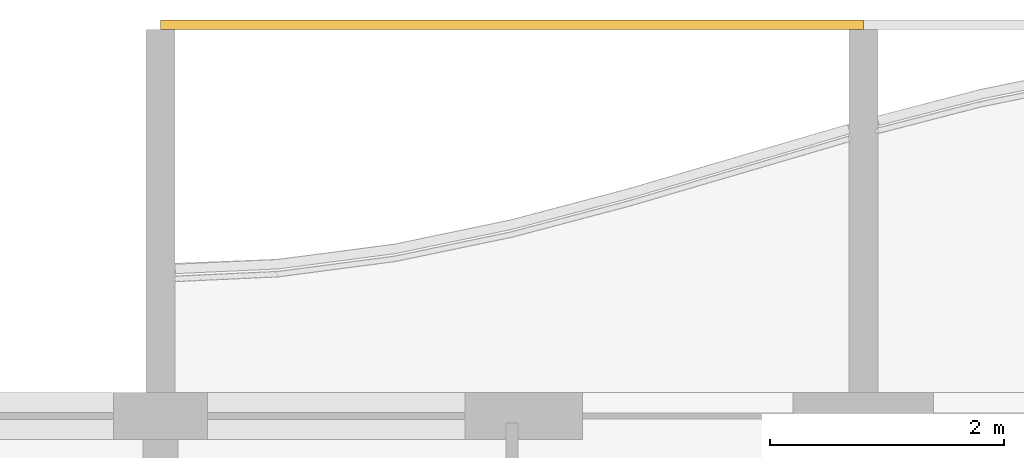
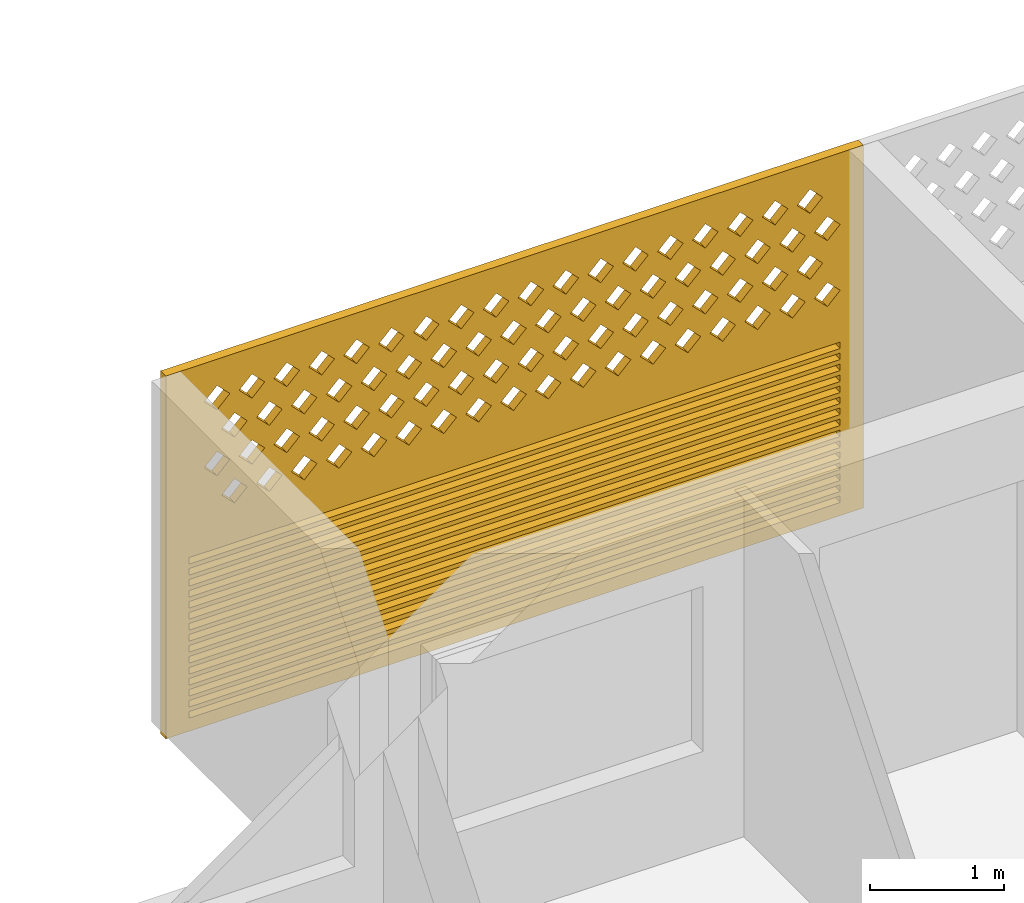
# One storey, part 27 of 31: 1 covering.
"""IFC4 building model written with IfcOpenShell, lengths in metres."""

from ifc_helpers import new_model, si_unit, direction, frame, origin, place, context, subcontext, project, spatial, polyline, outline, extrude, source, transform, mapped, material, material_profile, profile_set, type_object, element, save


model = new_model("IFC4")

# Units and contexts
model_context = context("Model", 3, precision=1e-05, world=origin(), true_north=direction((0.0, 1.0)))
body_context = subcontext(model_context, "Body", "Model", "MODEL_VIEW")
ifc_project = project(units=[si_unit("LENGTHUNIT", "METRE"), si_unit("AREAUNIT", "SQUARE_METRE"), si_unit("VOLUMEUNIT", "CUBIC_METRE"), si_unit("PLANEANGLEUNIT", "RADIAN"), si_unit("MASSUNIT", "GRAM", prefix="KILO")], contexts=[model_context])

# Site, building, storey
site_placement = place(None, origin())
site = spatial("IfcSite", under=ifc_project, at=site_placement, CompositionType="ELEMENT")
building_placement = place(site_placement, origin())
building = spatial("IfcBuilding", under=site, at=building_placement, Name="Poui Terraces", CompositionType="ELEMENT")
storey_placement = place(building_placement, frame((0.0, 0.0, 145.5)))
storey = spatial("IfcBuildingStorey", under=building, at=storey_placement, Name="L40", CompositionType="ELEMENT", Elevation=145.5)

# Covering
ifc_material = material(Name="Terracotta screen", Category="masonry")
ifc_material_profile = material_profile(ifc_material, outline(polyline([(-3.0, -1.64990234375), (3.0, -1.64990234375), (3.0, 1.64990234375), (-3.0, 1.64990234375), (-3.0, -1.64990234375)]), holes=[polyline([(-2.800048828125, 0.39990234375), (-2.68994140625, 0.2900390625), (-2.580078125, 0.39990234375), (-2.68994140625, 0.510009765625), (-2.800048828125, 0.39990234375)]), polyline([(-2.5, 0.39990234375), (-2.389892578125, 0.2900390625), (-2.280029296875, 0.39990234375), (-2.389892578125, 0.510009765625), (-2.5, 0.39990234375)]), polyline([(-2.199951171875, 0.39990234375), (-2.090087890625, 0.2900390625), (-1.97998046875, 0.39990234375), (-2.090087890625, 0.510009765625), (-2.199951171875, 0.39990234375)]), polyline([(-1.89990234375, 0.39990234375), (-1.7900390625, 0.2900390625), (-1.679931640625, 0.39990234375), (-1.7900390625, 0.510009765625), (-1.89990234375, 0.39990234375)]), polyline([(-1.60009765625, 0.39990234375), (-1.489990234375, 0.2900390625), (-1.3798828125, 0.39990234375), (-1.489990234375, 0.510009765625), (-1.60009765625, 0.39990234375)]), polyline([(-1.300048828125, 0.39990234375), (-1.18994140625, 0.2900390625), (-1.080078125, 0.39990234375), (-1.18994140625, 0.510009765625), (-1.300048828125, 0.39990234375)]), polyline([(-1.0, 0.39990234375), (-0.889892578125, 0.2900390625), (-0.780029296875, 0.39990234375), (-0.889892578125, 0.510009765625), (-1.0, 0.39990234375)]), polyline([(-0.699951171875, 0.39990234375), (-0.590087890625, 0.2900390625), (-0.47998046875, 0.39990234375), (-0.590087890625, 0.510009765625), (-0.699951171875, 0.39990234375)]), polyline([(-0.39990234375, 0.39990234375), (-0.2900390625, 0.2900390625), (-0.179931640625, 0.39990234375), (-0.2900390625, 0.510009765625), (-0.39990234375, 0.39990234375)]), polyline([(-0.10009765625, 0.39990234375), (0.010009765625, 0.2900390625), (0.1201171875, 0.39990234375), (0.010009765625, 0.510009765625), (-0.10009765625, 0.39990234375)]), polyline([(0.199951171875, 0.39990234375), (0.31005859375, 0.2900390625), (0.419921875, 0.39990234375), (0.31005859375, 0.510009765625), (0.199951171875, 0.39990234375)]), polyline([(0.5, 0.39990234375), (0.610107421875, 0.2900390625), (0.719970703125, 0.39990234375), (0.610107421875, 0.510009765625), (0.5, 0.39990234375)]), polyline([(0.800048828125, 0.39990234375), (0.909912109375, 0.2900390625), (1.02001953125, 0.39990234375), (0.909912109375, 0.510009765625), (0.800048828125, 0.39990234375)]), polyline([(1.10009765625, 0.39990234375), (1.2099609375, 0.2900390625), (1.320068359375, 0.39990234375), (1.2099609375, 0.510009765625), (1.10009765625, 0.39990234375)]), polyline([(1.39990234375, 0.39990234375), (1.510009765625, 0.2900390625), (1.6201171875, 0.39990234375), (1.510009765625, 0.510009765625), (1.39990234375, 0.39990234375)]), polyline([(1.699951171875, 0.39990234375), (1.81005859375, 0.2900390625), (1.919921875, 0.39990234375), (1.81005859375, 0.510009765625), (1.699951171875, 0.39990234375)]), polyline([(2.0, 0.39990234375), (2.110107421875, 0.2900390625), (2.219970703125, 0.39990234375), (2.110107421875, 0.510009765625), (2.0, 0.39990234375)]), polyline([(2.300048828125, 0.39990234375), (2.409912109375, 0.2900390625), (2.52001953125, 0.39990234375), (2.409912109375, 0.510009765625), (2.300048828125, 0.39990234375)]), polyline([(-2.64990234375, 0.699951171875), (-2.5400390625, 0.590087890625), (-2.429931640625, 0.699951171875), (-2.5400390625, 0.81005859375), (-2.64990234375, 0.699951171875)]), polyline([(-2.35009765625, 0.699951171875), (-2.239990234375, 0.590087890625), (-2.1298828125, 0.699951171875), (-2.239990234375, 0.81005859375), (-2.35009765625, 0.699951171875)]), polyline([(-2.050048828125, 0.699951171875), (-1.93994140625, 0.590087890625), (-1.830078125, 0.699951171875), (-1.93994140625, 0.81005859375), (-2.050048828125, 0.699951171875)]), polyline([(-1.75, 0.699951171875), (-1.639892578125, 0.590087890625), (-1.530029296875, 0.699951171875), (-1.639892578125, 0.81005859375), (-1.75, 0.699951171875)]), polyline([(-1.449951171875, 0.699951171875), (-1.340087890625, 0.590087890625), (-1.22998046875, 0.699951171875), (-1.340087890625, 0.81005859375), (-1.449951171875, 0.699951171875)]), polyline([(-1.14990234375, 0.699951171875), (-1.0400390625, 0.590087890625), (-0.929931640625, 0.699951171875), (-1.0400390625, 0.81005859375), (-1.14990234375, 0.699951171875)]), polyline([(-0.85009765625, 0.699951171875), (-0.739990234375, 0.590087890625), (-0.6298828125, 0.699951171875), (-0.739990234375, 0.81005859375), (-0.85009765625, 0.699951171875)]), polyline([(-0.550048828125, 0.699951171875), (-0.43994140625, 0.590087890625), (-0.330078125, 0.699951171875), (-0.43994140625, 0.81005859375), (-0.550048828125, 0.699951171875)]), polyline([(-0.25, 0.699951171875), (-0.139892578125, 0.590087890625), (-0.030029296875, 0.699951171875), (-0.139892578125, 0.81005859375), (-0.25, 0.699951171875)]), polyline([(0.050048828125, 0.699951171875), (0.159912109375, 0.590087890625), (0.27001953125, 0.699951171875), (0.159912109375, 0.81005859375), (0.050048828125, 0.699951171875)]), polyline([(0.35009765625, 0.699951171875), (0.4599609375, 0.590087890625), (0.570068359375, 0.699951171875), (0.4599609375, 0.81005859375), (0.35009765625, 0.699951171875)]), polyline([(0.64990234375, 0.699951171875), (0.760009765625, 0.590087890625), (0.8701171875, 0.699951171875), (0.760009765625, 0.81005859375), (0.64990234375, 0.699951171875)]), polyline([(0.949951171875, 0.699951171875), (1.06005859375, 0.590087890625), (1.169921875, 0.699951171875), (1.06005859375, 0.81005859375), (0.949951171875, 0.699951171875)]), polyline([(1.25, 0.699951171875), (1.360107421875, 0.590087890625), (1.469970703125, 0.699951171875), (1.360107421875, 0.81005859375), (1.25, 0.699951171875)]), polyline([(1.550048828125, 0.699951171875), (1.659912109375, 0.590087890625), (1.77001953125, 0.699951171875), (1.659912109375, 0.81005859375), (1.550048828125, 0.699951171875)]), polyline([(1.85009765625, 0.699951171875), (1.9599609375, 0.590087890625), (2.070068359375, 0.699951171875), (1.9599609375, 0.81005859375), (1.85009765625, 0.699951171875)]), polyline([(2.14990234375, 0.699951171875), (2.260009765625, 0.590087890625), (2.3701171875, 0.699951171875), (2.260009765625, 0.81005859375), (2.14990234375, 0.699951171875)]), polyline([(2.449951171875, 0.699951171875), (2.56005859375, 0.590087890625), (2.669921875, 0.699951171875), (2.56005859375, 0.81005859375), (2.449951171875, 0.699951171875)]), polyline([(-2.800048828125, 1.0), (-2.68994140625, 0.889892578125), (-2.580078125, 1.0), (-2.68994140625, 1.110107421875), (-2.800048828125, 1.0)]), polyline([(-2.5, 1.0), (-2.389892578125, 0.889892578125), (-2.280029296875, 1.0), (-2.389892578125, 1.110107421875), (-2.5, 1.0)]), polyline([(-2.199951171875, 1.0), (-2.090087890625, 0.889892578125), (-1.97998046875, 1.0), (-2.090087890625, 1.110107421875), (-2.199951171875, 1.0)]), polyline([(-1.89990234375, 1.0), (-1.7900390625, 0.889892578125), (-1.679931640625, 1.0), (-1.7900390625, 1.110107421875), (-1.89990234375, 1.0)]), polyline([(-1.60009765625, 1.0), (-1.489990234375, 0.889892578125), (-1.3798828125, 1.0), (-1.489990234375, 1.110107421875), (-1.60009765625, 1.0)]), polyline([(-1.300048828125, 1.0), (-1.18994140625, 0.889892578125), (-1.080078125, 1.0), (-1.18994140625, 1.110107421875), (-1.300048828125, 1.0)]), polyline([(-1.0, 1.0), (-0.889892578125, 0.889892578125), (-0.780029296875, 1.0), (-0.889892578125, 1.110107421875), (-1.0, 1.0)]), polyline([(-0.699951171875, 1.0), (-0.590087890625, 0.889892578125), (-0.47998046875, 1.0), (-0.590087890625, 1.110107421875), (-0.699951171875, 1.0)]), polyline([(-0.39990234375, 1.0), (-0.2900390625, 0.889892578125), (-0.179931640625, 1.0), (-0.2900390625, 1.110107421875), (-0.39990234375, 1.0)]), polyline([(-0.10009765625, 1.0), (0.010009765625, 0.889892578125), (0.1201171875, 1.0), (0.010009765625, 1.110107421875), (-0.10009765625, 1.0)]), polyline([(0.199951171875, 1.0), (0.31005859375, 0.889892578125), (0.419921875, 1.0), (0.31005859375, 1.110107421875), (0.199951171875, 1.0)]), polyline([(0.5, 1.0), (0.610107421875, 0.889892578125), (0.719970703125, 1.0), (0.610107421875, 1.110107421875), (0.5, 1.0)]), polyline([(0.800048828125, 1.0), (0.909912109375, 0.889892578125), (1.02001953125, 1.0), (0.909912109375, 1.110107421875), (0.800048828125, 1.0)]), polyline([(1.10009765625, 1.0), (1.2099609375, 0.889892578125), (1.320068359375, 1.0), (1.2099609375, 1.110107421875), (1.10009765625, 1.0)]), polyline([(1.39990234375, 1.0), (1.510009765625, 0.889892578125), (1.6201171875, 1.0), (1.510009765625, 1.110107421875), (1.39990234375, 1.0)]), polyline([(1.699951171875, 1.0), (1.81005859375, 0.889892578125), (1.919921875, 1.0), (1.81005859375, 1.110107421875), (1.699951171875, 1.0)]), polyline([(2.0, 1.0), (2.110107421875, 0.889892578125), (2.219970703125, 1.0), (2.110107421875, 1.110107421875), (2.0, 1.0)]), polyline([(2.300048828125, 1.0), (2.409912109375, 0.889892578125), (2.52001953125, 1.0), (2.409912109375, 1.110107421875), (2.300048828125, 1.0)]), polyline([(-2.64990234375, 1.300048828125), (-2.5400390625, 1.18994140625), (-2.429931640625, 1.300048828125), (-2.5400390625, 1.409912109375), (-2.64990234375, 1.300048828125)]), polyline([(-2.35009765625, 1.300048828125), (-2.239990234375, 1.18994140625), (-2.1298828125, 1.300048828125), (-2.239990234375, 1.409912109375), (-2.35009765625, 1.300048828125)]), polyline([(-2.050048828125, 1.300048828125), (-1.93994140625, 1.18994140625), (-1.830078125, 1.300048828125), (-1.93994140625, 1.409912109375), (-2.050048828125, 1.300048828125)]), polyline([(-1.75, 1.300048828125), (-1.639892578125, 1.18994140625), (-1.530029296875, 1.300048828125), (-1.639892578125, 1.409912109375), (-1.75, 1.300048828125)]), polyline([(-1.449951171875, 1.300048828125), (-1.340087890625, 1.18994140625), (-1.22998046875, 1.300048828125), (-1.340087890625, 1.409912109375), (-1.449951171875, 1.300048828125)]), polyline([(-1.14990234375, 1.300048828125), (-1.0400390625, 1.18994140625), (-0.929931640625, 1.300048828125), (-1.0400390625, 1.409912109375), (-1.14990234375, 1.300048828125)]), polyline([(-0.85009765625, 1.300048828125), (-0.739990234375, 1.18994140625), (-0.6298828125, 1.300048828125), (-0.739990234375, 1.409912109375), (-0.85009765625, 1.300048828125)]), polyline([(-0.550048828125, 1.300048828125), (-0.43994140625, 1.18994140625), (-0.330078125, 1.300048828125), (-0.43994140625, 1.409912109375), (-0.550048828125, 1.300048828125)]), polyline([(-0.25, 1.300048828125), (-0.139892578125, 1.18994140625), (-0.030029296875, 1.300048828125), (-0.139892578125, 1.409912109375), (-0.25, 1.300048828125)]), polyline([(0.050048828125, 1.300048828125), (0.159912109375, 1.18994140625), (0.27001953125, 1.300048828125), (0.159912109375, 1.409912109375), (0.050048828125, 1.300048828125)]), polyline([(0.35009765625, 1.300048828125), (0.4599609375, 1.18994140625), (0.570068359375, 1.300048828125), (0.4599609375, 1.409912109375), (0.35009765625, 1.300048828125)]), polyline([(0.64990234375, 1.300048828125), (0.760009765625, 1.18994140625), (0.8701171875, 1.300048828125), (0.760009765625, 1.409912109375), (0.64990234375, 1.300048828125)]), polyline([(0.949951171875, 1.300048828125), (1.06005859375, 1.18994140625), (1.169921875, 1.300048828125), (1.06005859375, 1.409912109375), (0.949951171875, 1.300048828125)]), polyline([(1.25, 1.300048828125), (1.360107421875, 1.18994140625), (1.469970703125, 1.300048828125), (1.360107421875, 1.409912109375), (1.25, 1.300048828125)]), polyline([(1.550048828125, 1.300048828125), (1.659912109375, 1.18994140625), (1.77001953125, 1.300048828125), (1.659912109375, 1.409912109375), (1.550048828125, 1.300048828125)]), polyline([(1.85009765625, 1.300048828125), (1.9599609375, 1.18994140625), (2.070068359375, 1.300048828125), (1.9599609375, 1.409912109375), (1.85009765625, 1.300048828125)]), polyline([(2.14990234375, 1.300048828125), (2.260009765625, 1.18994140625), (2.3701171875, 1.300048828125), (2.260009765625, 1.409912109375), (2.14990234375, 1.300048828125)]), polyline([(2.449951171875, 1.300048828125), (2.56005859375, 1.18994140625), (2.669921875, 1.300048828125), (2.56005859375, 1.409912109375), (2.449951171875, 1.300048828125)]), polyline([(-2.800048828125, -1.530029296875), (2.800048828125, -1.530029296875), (2.800048828125, -1.469970703125), (-2.800048828125, -1.469970703125), (-2.800048828125, -1.530029296875)]), polyline([(-2.800048828125, -1.429931640625), (2.800048828125, -1.429931640625), (2.800048828125, -1.3701171875), (-2.800048828125, -1.3701171875), (-2.800048828125, -1.429931640625)]), polyline([(-2.800048828125, -1.330078125), (2.800048828125, -1.330078125), (2.800048828125, -1.27001953125), (-2.800048828125, -1.27001953125), (-2.800048828125, -1.330078125)]), polyline([(-2.800048828125, -1.22998046875), (2.800048828125, -1.22998046875), (2.800048828125, -1.169921875), (-2.800048828125, -1.169921875), (-2.800048828125, -1.22998046875)]), polyline([(-2.800048828125, -1.1298828125), (2.800048828125, -1.1298828125), (2.800048828125, -1.070068359375), (-2.800048828125, -1.070068359375), (-2.800048828125, -1.1298828125)]), polyline([(-2.800048828125, -1.030029296875), (2.800048828125, -1.030029296875), (2.800048828125, -0.969970703125), (-2.800048828125, -0.969970703125), (-2.800048828125, -1.030029296875)]), polyline([(-2.800048828125, -0.929931640625), (2.800048828125, -0.929931640625), (2.800048828125, -0.8701171875), (-2.800048828125, -0.8701171875), (-2.800048828125, -0.929931640625)]), polyline([(-2.800048828125, -0.830078125), (2.800048828125, -0.830078125), (2.800048828125, -0.77001953125), (-2.800048828125, -0.77001953125), (-2.800048828125, -0.830078125)]), polyline([(-2.800048828125, -0.72998046875), (2.800048828125, -0.72998046875), (2.800048828125, -0.669921875), (-2.800048828125, -0.669921875), (-2.800048828125, -0.72998046875)]), polyline([(-2.800048828125, -0.6298828125), (2.800048828125, -0.6298828125), (2.800048828125, -0.570068359375), (-2.800048828125, -0.570068359375), (-2.800048828125, -0.6298828125)]), polyline([(-2.800048828125, -0.530029296875), (2.800048828125, -0.530029296875), (2.800048828125, -0.469970703125), (-2.800048828125, -0.469970703125), (-2.800048828125, -0.530029296875)]), polyline([(-2.800048828125, -0.429931640625), (2.800048828125, -0.429931640625), (2.800048828125, -0.3701171875), (-2.800048828125, -0.3701171875), (-2.800048828125, -0.429931640625)]), polyline([(-2.800048828125, -0.330078125), (2.800048828125, -0.330078125), (2.800048828125, -0.27001953125), (-2.800048828125, -0.27001953125), (-2.800048828125, -0.330078125)]), polyline([(-2.800048828125, -0.22998046875), (2.800048828125, -0.22998046875), (2.800048828125, -0.169921875), (-2.800048828125, -0.169921875), (-2.800048828125, -0.22998046875)]), polyline([(-2.800048828125, -0.1298828125), (2.800048828125, -0.1298828125), (2.800048828125, -0.070068359375), (-2.800048828125, -0.070068359375), (-2.800048828125, -0.1298828125)])]), Name="TERRACOTTA SCREEN AND JALOUSIE LOUVRE 6000X3300")
ifc_profile_set = profile_set([ifc_material_profile], Name="Terracotta screen")
covering_type = type_object("IfcCoveringType", Name="TERRACOTTA SCREEN AND JALOUSIE LOUVRE 6000X3300", PredefinedType="CLADDING", material=ifc_profile_set)
shared_shape = source(origin(), body_context, "Body", "SweptSolid", [
    extrude(outline(polyline([(-3.0, -1.64990234375), (3.0, -1.64990234375), (3.0, 1.64990234375), (-3.0, 1.64990234375), (-3.0, -1.64990234375)]), holes=[polyline([(-2.800048828125, 0.39990234375), (-2.68994140625, 0.2900390625), (-2.580078125, 0.39990234375), (-2.68994140625, 0.510009765625), (-2.800048828125, 0.39990234375)]), polyline([(-2.5, 0.39990234375), (-2.389892578125, 0.2900390625), (-2.280029296875, 0.39990234375), (-2.389892578125, 0.510009765625), (-2.5, 0.39990234375)]), polyline([(-2.199951171875, 0.39990234375), (-2.090087890625, 0.2900390625), (-1.97998046875, 0.39990234375), (-2.090087890625, 0.510009765625), (-2.199951171875, 0.39990234375)]), polyline([(-1.89990234375, 0.39990234375), (-1.7900390625, 0.2900390625), (-1.679931640625, 0.39990234375), (-1.7900390625, 0.510009765625), (-1.89990234375, 0.39990234375)]), polyline([(-1.60009765625, 0.39990234375), (-1.489990234375, 0.2900390625), (-1.3798828125, 0.39990234375), (-1.489990234375, 0.510009765625), (-1.60009765625, 0.39990234375)]), polyline([(-1.300048828125, 0.39990234375), (-1.18994140625, 0.2900390625), (-1.080078125, 0.39990234375), (-1.18994140625, 0.510009765625), (-1.300048828125, 0.39990234375)]), polyline([(-1.0, 0.39990234375), (-0.889892578125, 0.2900390625), (-0.780029296875, 0.39990234375), (-0.889892578125, 0.510009765625), (-1.0, 0.39990234375)]), polyline([(-0.699951171875, 0.39990234375), (-0.590087890625, 0.2900390625), (-0.47998046875, 0.39990234375), (-0.590087890625, 0.510009765625), (-0.699951171875, 0.39990234375)]), polyline([(-0.39990234375, 0.39990234375), (-0.2900390625, 0.2900390625), (-0.179931640625, 0.39990234375), (-0.2900390625, 0.510009765625), (-0.39990234375, 0.39990234375)]), polyline([(-0.10009765625, 0.39990234375), (0.010009765625, 0.2900390625), (0.1201171875, 0.39990234375), (0.010009765625, 0.510009765625), (-0.10009765625, 0.39990234375)]), polyline([(0.199951171875, 0.39990234375), (0.31005859375, 0.2900390625), (0.419921875, 0.39990234375), (0.31005859375, 0.510009765625), (0.199951171875, 0.39990234375)]), polyline([(0.5, 0.39990234375), (0.610107421875, 0.2900390625), (0.719970703125, 0.39990234375), (0.610107421875, 0.510009765625), (0.5, 0.39990234375)]), polyline([(0.800048828125, 0.39990234375), (0.909912109375, 0.2900390625), (1.02001953125, 0.39990234375), (0.909912109375, 0.510009765625), (0.800048828125, 0.39990234375)]), polyline([(1.10009765625, 0.39990234375), (1.2099609375, 0.2900390625), (1.320068359375, 0.39990234375), (1.2099609375, 0.510009765625), (1.10009765625, 0.39990234375)]), polyline([(1.39990234375, 0.39990234375), (1.510009765625, 0.2900390625), (1.6201171875, 0.39990234375), (1.510009765625, 0.510009765625), (1.39990234375, 0.39990234375)]), polyline([(1.699951171875, 0.39990234375), (1.81005859375, 0.2900390625), (1.919921875, 0.39990234375), (1.81005859375, 0.510009765625), (1.699951171875, 0.39990234375)]), polyline([(2.0, 0.39990234375), (2.110107421875, 0.2900390625), (2.219970703125, 0.39990234375), (2.110107421875, 0.510009765625), (2.0, 0.39990234375)]), polyline([(2.300048828125, 0.39990234375), (2.409912109375, 0.2900390625), (2.52001953125, 0.39990234375), (2.409912109375, 0.510009765625), (2.300048828125, 0.39990234375)]), polyline([(-2.64990234375, 0.699951171875), (-2.5400390625, 0.590087890625), (-2.429931640625, 0.699951171875), (-2.5400390625, 0.81005859375), (-2.64990234375, 0.699951171875)]), polyline([(-2.35009765625, 0.699951171875), (-2.239990234375, 0.590087890625), (-2.1298828125, 0.699951171875), (-2.239990234375, 0.81005859375), (-2.35009765625, 0.699951171875)]), polyline([(-2.050048828125, 0.699951171875), (-1.93994140625, 0.590087890625), (-1.830078125, 0.699951171875), (-1.93994140625, 0.81005859375), (-2.050048828125, 0.699951171875)]), polyline([(-1.75, 0.699951171875), (-1.639892578125, 0.590087890625), (-1.530029296875, 0.699951171875), (-1.639892578125, 0.81005859375), (-1.75, 0.699951171875)]), polyline([(-1.449951171875, 0.699951171875), (-1.340087890625, 0.590087890625), (-1.22998046875, 0.699951171875), (-1.340087890625, 0.81005859375), (-1.449951171875, 0.699951171875)]), polyline([(-1.14990234375, 0.699951171875), (-1.0400390625, 0.590087890625), (-0.929931640625, 0.699951171875), (-1.0400390625, 0.81005859375), (-1.14990234375, 0.699951171875)]), polyline([(-0.85009765625, 0.699951171875), (-0.739990234375, 0.590087890625), (-0.6298828125, 0.699951171875), (-0.739990234375, 0.81005859375), (-0.85009765625, 0.699951171875)]), polyline([(-0.550048828125, 0.699951171875), (-0.43994140625, 0.590087890625), (-0.330078125, 0.699951171875), (-0.43994140625, 0.81005859375), (-0.550048828125, 0.699951171875)]), polyline([(-0.25, 0.699951171875), (-0.139892578125, 0.590087890625), (-0.030029296875, 0.699951171875), (-0.139892578125, 0.81005859375), (-0.25, 0.699951171875)]), polyline([(0.050048828125, 0.699951171875), (0.159912109375, 0.590087890625), (0.27001953125, 0.699951171875), (0.159912109375, 0.81005859375), (0.050048828125, 0.699951171875)]), polyline([(0.35009765625, 0.699951171875), (0.4599609375, 0.590087890625), (0.570068359375, 0.699951171875), (0.4599609375, 0.81005859375), (0.35009765625, 0.699951171875)]), polyline([(0.64990234375, 0.699951171875), (0.760009765625, 0.590087890625), (0.8701171875, 0.699951171875), (0.760009765625, 0.81005859375), (0.64990234375, 0.699951171875)]), polyline([(0.949951171875, 0.699951171875), (1.06005859375, 0.590087890625), (1.169921875, 0.699951171875), (1.06005859375, 0.81005859375), (0.949951171875, 0.699951171875)]), polyline([(1.25, 0.699951171875), (1.360107421875, 0.590087890625), (1.469970703125, 0.699951171875), (1.360107421875, 0.81005859375), (1.25, 0.699951171875)]), polyline([(1.550048828125, 0.699951171875), (1.659912109375, 0.590087890625), (1.77001953125, 0.699951171875), (1.659912109375, 0.81005859375), (1.550048828125, 0.699951171875)]), polyline([(1.85009765625, 0.699951171875), (1.9599609375, 0.590087890625), (2.070068359375, 0.699951171875), (1.9599609375, 0.81005859375), (1.85009765625, 0.699951171875)]), polyline([(2.14990234375, 0.699951171875), (2.260009765625, 0.590087890625), (2.3701171875, 0.699951171875), (2.260009765625, 0.81005859375), (2.14990234375, 0.699951171875)]), polyline([(2.449951171875, 0.699951171875), (2.56005859375, 0.590087890625), (2.669921875, 0.699951171875), (2.56005859375, 0.81005859375), (2.449951171875, 0.699951171875)]), polyline([(-2.800048828125, 1.0), (-2.68994140625, 0.889892578125), (-2.580078125, 1.0), (-2.68994140625, 1.110107421875), (-2.800048828125, 1.0)]), polyline([(-2.5, 1.0), (-2.389892578125, 0.889892578125), (-2.280029296875, 1.0), (-2.389892578125, 1.110107421875), (-2.5, 1.0)]), polyline([(-2.199951171875, 1.0), (-2.090087890625, 0.889892578125), (-1.97998046875, 1.0), (-2.090087890625, 1.110107421875), (-2.199951171875, 1.0)]), polyline([(-1.89990234375, 1.0), (-1.7900390625, 0.889892578125), (-1.679931640625, 1.0), (-1.7900390625, 1.110107421875), (-1.89990234375, 1.0)]), polyline([(-1.60009765625, 1.0), (-1.489990234375, 0.889892578125), (-1.3798828125, 1.0), (-1.489990234375, 1.110107421875), (-1.60009765625, 1.0)]), polyline([(-1.300048828125, 1.0), (-1.18994140625, 0.889892578125), (-1.080078125, 1.0), (-1.18994140625, 1.110107421875), (-1.300048828125, 1.0)]), polyline([(-1.0, 1.0), (-0.889892578125, 0.889892578125), (-0.780029296875, 1.0), (-0.889892578125, 1.110107421875), (-1.0, 1.0)]), polyline([(-0.699951171875, 1.0), (-0.590087890625, 0.889892578125), (-0.47998046875, 1.0), (-0.590087890625, 1.110107421875), (-0.699951171875, 1.0)]), polyline([(-0.39990234375, 1.0), (-0.2900390625, 0.889892578125), (-0.179931640625, 1.0), (-0.2900390625, 1.110107421875), (-0.39990234375, 1.0)]), polyline([(-0.10009765625, 1.0), (0.010009765625, 0.889892578125), (0.1201171875, 1.0), (0.010009765625, 1.110107421875), (-0.10009765625, 1.0)]), polyline([(0.199951171875, 1.0), (0.31005859375, 0.889892578125), (0.419921875, 1.0), (0.31005859375, 1.110107421875), (0.199951171875, 1.0)]), polyline([(0.5, 1.0), (0.610107421875, 0.889892578125), (0.719970703125, 1.0), (0.610107421875, 1.110107421875), (0.5, 1.0)]), polyline([(0.800048828125, 1.0), (0.909912109375, 0.889892578125), (1.02001953125, 1.0), (0.909912109375, 1.110107421875), (0.800048828125, 1.0)]), polyline([(1.10009765625, 1.0), (1.2099609375, 0.889892578125), (1.320068359375, 1.0), (1.2099609375, 1.110107421875), (1.10009765625, 1.0)]), polyline([(1.39990234375, 1.0), (1.510009765625, 0.889892578125), (1.6201171875, 1.0), (1.510009765625, 1.110107421875), (1.39990234375, 1.0)]), polyline([(1.699951171875, 1.0), (1.81005859375, 0.889892578125), (1.919921875, 1.0), (1.81005859375, 1.110107421875), (1.699951171875, 1.0)]), polyline([(2.0, 1.0), (2.110107421875, 0.889892578125), (2.219970703125, 1.0), (2.110107421875, 1.110107421875), (2.0, 1.0)]), polyline([(2.300048828125, 1.0), (2.409912109375, 0.889892578125), (2.52001953125, 1.0), (2.409912109375, 1.110107421875), (2.300048828125, 1.0)]), polyline([(-2.64990234375, 1.300048828125), (-2.5400390625, 1.18994140625), (-2.429931640625, 1.300048828125), (-2.5400390625, 1.409912109375), (-2.64990234375, 1.300048828125)]), polyline([(-2.35009765625, 1.300048828125), (-2.239990234375, 1.18994140625), (-2.1298828125, 1.300048828125), (-2.239990234375, 1.409912109375), (-2.35009765625, 1.300048828125)]), polyline([(-2.050048828125, 1.300048828125), (-1.93994140625, 1.18994140625), (-1.830078125, 1.300048828125), (-1.93994140625, 1.409912109375), (-2.050048828125, 1.300048828125)]), polyline([(-1.75, 1.300048828125), (-1.639892578125, 1.18994140625), (-1.530029296875, 1.300048828125), (-1.639892578125, 1.409912109375), (-1.75, 1.300048828125)]), polyline([(-1.449951171875, 1.300048828125), (-1.340087890625, 1.18994140625), (-1.22998046875, 1.300048828125), (-1.340087890625, 1.409912109375), (-1.449951171875, 1.300048828125)]), polyline([(-1.14990234375, 1.300048828125), (-1.0400390625, 1.18994140625), (-0.929931640625, 1.300048828125), (-1.0400390625, 1.409912109375), (-1.14990234375, 1.300048828125)]), polyline([(-0.85009765625, 1.300048828125), (-0.739990234375, 1.18994140625), (-0.6298828125, 1.300048828125), (-0.739990234375, 1.409912109375), (-0.85009765625, 1.300048828125)]), polyline([(-0.550048828125, 1.300048828125), (-0.43994140625, 1.18994140625), (-0.330078125, 1.300048828125), (-0.43994140625, 1.409912109375), (-0.550048828125, 1.300048828125)]), polyline([(-0.25, 1.300048828125), (-0.139892578125, 1.18994140625), (-0.030029296875, 1.300048828125), (-0.139892578125, 1.409912109375), (-0.25, 1.300048828125)]), polyline([(0.050048828125, 1.300048828125), (0.159912109375, 1.18994140625), (0.27001953125, 1.300048828125), (0.159912109375, 1.409912109375), (0.050048828125, 1.300048828125)]), polyline([(0.35009765625, 1.300048828125), (0.4599609375, 1.18994140625), (0.570068359375, 1.300048828125), (0.4599609375, 1.409912109375), (0.35009765625, 1.300048828125)]), polyline([(0.64990234375, 1.300048828125), (0.760009765625, 1.18994140625), (0.8701171875, 1.300048828125), (0.760009765625, 1.409912109375), (0.64990234375, 1.300048828125)]), polyline([(0.949951171875, 1.300048828125), (1.06005859375, 1.18994140625), (1.169921875, 1.300048828125), (1.06005859375, 1.409912109375), (0.949951171875, 1.300048828125)]), polyline([(1.25, 1.300048828125), (1.360107421875, 1.18994140625), (1.469970703125, 1.300048828125), (1.360107421875, 1.409912109375), (1.25, 1.300048828125)]), polyline([(1.550048828125, 1.300048828125), (1.659912109375, 1.18994140625), (1.77001953125, 1.300048828125), (1.659912109375, 1.409912109375), (1.550048828125, 1.300048828125)]), polyline([(1.85009765625, 1.300048828125), (1.9599609375, 1.18994140625), (2.070068359375, 1.300048828125), (1.9599609375, 1.409912109375), (1.85009765625, 1.300048828125)]), polyline([(2.14990234375, 1.300048828125), (2.260009765625, 1.18994140625), (2.3701171875, 1.300048828125), (2.260009765625, 1.409912109375), (2.14990234375, 1.300048828125)]), polyline([(2.449951171875, 1.300048828125), (2.56005859375, 1.18994140625), (2.669921875, 1.300048828125), (2.56005859375, 1.409912109375), (2.449951171875, 1.300048828125)]), polyline([(-2.800048828125, -1.530029296875), (2.800048828125, -1.530029296875), (2.800048828125, -1.469970703125), (-2.800048828125, -1.469970703125), (-2.800048828125, -1.530029296875)]), polyline([(-2.800048828125, -1.429931640625), (2.800048828125, -1.429931640625), (2.800048828125, -1.3701171875), (-2.800048828125, -1.3701171875), (-2.800048828125, -1.429931640625)]), polyline([(-2.800048828125, -1.330078125), (2.800048828125, -1.330078125), (2.800048828125, -1.27001953125), (-2.800048828125, -1.27001953125), (-2.800048828125, -1.330078125)]), polyline([(-2.800048828125, -1.22998046875), (2.800048828125, -1.22998046875), (2.800048828125, -1.169921875), (-2.800048828125, -1.169921875), (-2.800048828125, -1.22998046875)]), polyline([(-2.800048828125, -1.1298828125), (2.800048828125, -1.1298828125), (2.800048828125, -1.070068359375), (-2.800048828125, -1.070068359375), (-2.800048828125, -1.1298828125)]), polyline([(-2.800048828125, -1.030029296875), (2.800048828125, -1.030029296875), (2.800048828125, -0.969970703125), (-2.800048828125, -0.969970703125), (-2.800048828125, -1.030029296875)]), polyline([(-2.800048828125, -0.929931640625), (2.800048828125, -0.929931640625), (2.800048828125, -0.8701171875), (-2.800048828125, -0.8701171875), (-2.800048828125, -0.929931640625)]), polyline([(-2.800048828125, -0.830078125), (2.800048828125, -0.830078125), (2.800048828125, -0.77001953125), (-2.800048828125, -0.77001953125), (-2.800048828125, -0.830078125)]), polyline([(-2.800048828125, -0.72998046875), (2.800048828125, -0.72998046875), (2.800048828125, -0.669921875), (-2.800048828125, -0.669921875), (-2.800048828125, -0.72998046875)]), polyline([(-2.800048828125, -0.6298828125), (2.800048828125, -0.6298828125), (2.800048828125, -0.570068359375), (-2.800048828125, -0.570068359375), (-2.800048828125, -0.6298828125)]), polyline([(-2.800048828125, -0.530029296875), (2.800048828125, -0.530029296875), (2.800048828125, -0.469970703125), (-2.800048828125, -0.469970703125), (-2.800048828125, -0.530029296875)]), polyline([(-2.800048828125, -0.429931640625), (2.800048828125, -0.429931640625), (2.800048828125, -0.3701171875), (-2.800048828125, -0.3701171875), (-2.800048828125, -0.429931640625)]), polyline([(-2.800048828125, -0.330078125), (2.800048828125, -0.330078125), (2.800048828125, -0.27001953125), (-2.800048828125, -0.27001953125), (-2.800048828125, -0.330078125)]), polyline([(-2.800048828125, -0.22998046875), (2.800048828125, -0.22998046875), (2.800048828125, -0.169921875), (-2.800048828125, -0.169921875), (-2.800048828125, -0.22998046875)]), polyline([(-2.800048828125, -0.1298828125), (2.800048828125, -0.1298828125), (2.800048828125, -0.070068359375), (-2.800048828125, -0.070068359375), (-2.800048828125, -0.1298828125)])]), origin(), (0.0, 0.0, 1.0), 0.080078125),
])
covering_placement = place(storey_placement, frame((69.0, 45.699951171875, 1.449951171875), z_axis=(0.0, 1.0, 0.0), x_axis=(-1.0, 0.0, 0.0)))
element("IfcCovering", 1, at=covering_placement, inside=storey, type_object=covering_type, Name="SOLAR SCREEN AND JALOUSIE LOUVRE", PredefinedType="CLADDING", context=body_context, shape_type="MappedRepresentation", body=[
    mapped(shared_shape, transform((0.0, 0.0, 0.0))),
])

save(model, "model.ifc")
